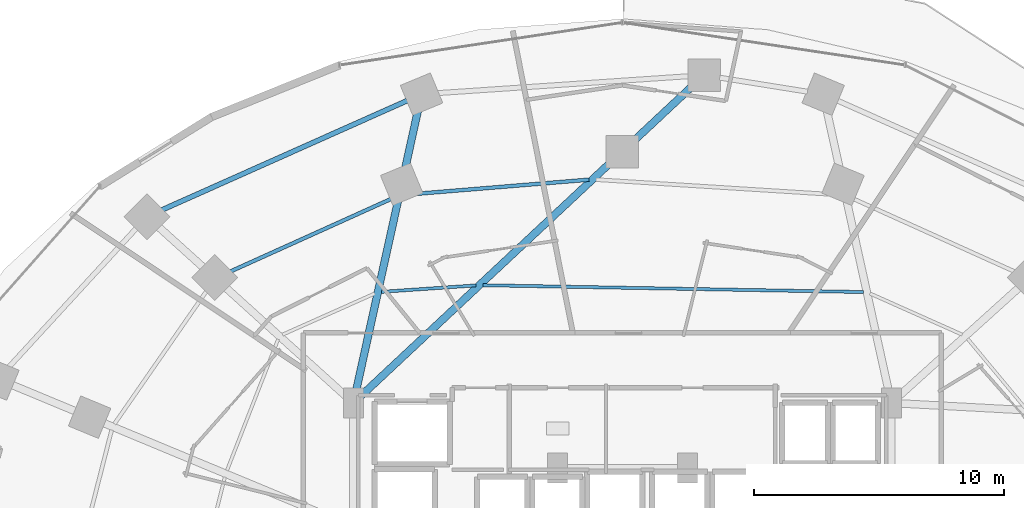
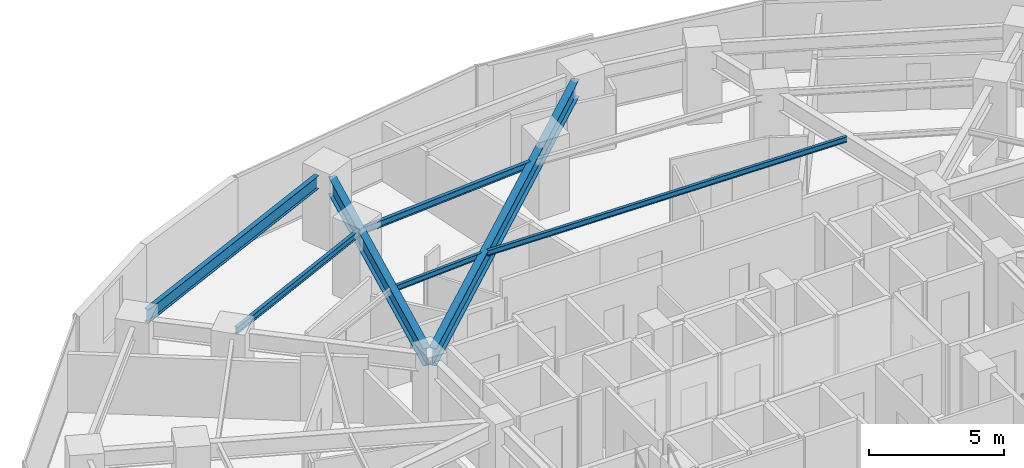
# One storey, part 20 of 33: 7 beams.
"""IFC4 building model written with IfcOpenShell, lengths in metres."""

from ifc_helpers import new_model, si_unit, direction, frame, origin, origin_2d, place, context, subcontext, project, spatial, i_section, extrude, material, material_profile, profile_set, type_object, element, save


model = new_model("IFC4")

# Units and contexts
model_context = context("Model", 3, precision=1e-05, world=origin(), true_north=direction((0.0, 1.0)))
body_context = subcontext(model_context, "Body", "Model", "MODEL_VIEW")
ifc_project = project(units=[si_unit("LENGTHUNIT", "METRE"), si_unit("AREAUNIT", "SQUARE_METRE"), si_unit("VOLUMEUNIT", "CUBIC_METRE"), si_unit("PLANEANGLEUNIT", "RADIAN"), si_unit("MASSUNIT", "GRAM", prefix="KILO")], contexts=[model_context])

# Site, building, storey
site_placement = place(None, origin())
site = spatial("IfcSite", under=ifc_project, at=site_placement, CompositionType="ELEMENT")
building_placement = place(site_placement, origin())
building = spatial("IfcBuilding", under=site, at=building_placement, Name="Vorneva Point Tower", CompositionType="ELEMENT")
storey_placement = place(building_placement, frame((0.0, 0.0, 34.5)))
storey = spatial("IfcBuildingStorey", under=building, at=storey_placement, Name="L08", CompositionType="ELEMENT", Elevation=34.5)

# Beams
ifc_material = material(Name="Steel S355", Category="steel")
ifc_material_profile_1 = material_profile(ifc_material, i_section(OverallWidth=0.300048828125, OverallDepth=0.7880859375, WebThickness=0.014404296875, FlangeThickness=0.02197265625, at=origin_2d()), Name="80Sh1")
ifc_profile_set_1 = profile_set([ifc_material_profile_1], Name="Steel S355")
beam_type_1 = type_object("IfcBeamType", Name="BM-GRD-80Sh1", PredefinedType="USERDEFINED", material=ifc_profile_set_1)
beam_1_placement = place(storey_placement, frame((40.799072265625, 45.81689453125, 2.845947265625), z_axis=(-0.730486513498, -0.682927121732, 0.0), x_axis=(0.682927121732, -0.730486513498, 0.0)))
element("IfcBeam", 1, at=beam_1_placement, inside=storey, type_object=beam_type_1, Name="L08 Radial Primary Girder 05", ObjectType="GIRDER", PredefinedType="USERDEFINED", context=body_context, shape_type="SweptSolid", body=[
    extrude(i_section(OverallWidth=0.300048828125, OverallDepth=0.7880859375, WebThickness=0.014404296875, FlangeThickness=0.02197265625, at=origin_2d()), origin(), (0.0, 0.0, 1.0), 18.2080078125),
])
beam_2_placement = place(storey_placement, frame((29.836181640625, 44.86865234375, 2.845947265625), z_axis=(-0.215504784711, -0.976502784311, 0.0), x_axis=(0.976502784311, -0.215504784711, 0.0)))
element("IfcBeam", 2, at=beam_2_placement, inside=storey, type_object=beam_type_1, Name="L08 Radial Primary Girder 06", ObjectType="GIRDER", PredefinedType="USERDEFINED", context=body_context, shape_type="SweptSolid", body=[
    extrude(i_section(OverallWidth=0.300048828125, OverallDepth=0.7880859375, WebThickness=0.014404296875, FlangeThickness=0.02197265625, at=origin_2d()), origin(), (0.0, 0.0, 1.0), 11.66064453125),
])
ifc_material_profile_2 = material_profile(ifc_material, i_section(OverallWidth=0.1240234375, OverallDepth=0.248046875, WebThickness=0.0048828125, FlangeThickness=0.008056640625, at=origin_2d()), Name="25B1")
ifc_profile_set_2 = profile_set([ifc_material_profile_2], Name="Steel S355")
beam_type_2 = type_object("IfcBeamType", Name="BM-JST-25B1", PredefinedType="JOIST", material=ifc_profile_set_2)
beam_3_placement = place(storey_placement, frame((47.634033203125, 37.58349609375, 3.115966796875), z_axis=(-0.9998392972, 0.017927068204, 0.0), x_axis=(-0.017927068204, -0.9998392972, 0.0)))
element("IfcBeam", 3, at=beam_3_placement, inside=storey, type_object=beam_type_2, Name="L08 Secondary Floor Beam 2.04", PredefinedType="JOIST", context=body_context, shape_type="SweptSolid", body=[
    extrude(i_section(OverallWidth=0.1240234375, OverallDepth=0.248046875, WebThickness=0.0048828125, FlangeThickness=0.008056640625, at=origin_2d()), origin(), (0.0, 0.0, 1.0), 15.2119140625),
])
beam_4_placement = place(storey_placement, frame((32.14892578125, 37.84912109375, 3.115966796875), z_axis=(-0.997672955363, -0.068181186095, 0.0), x_axis=(0.068181186095, -0.997672955363, 0.0)))
element("IfcBeam", 4, at=beam_4_placement, inside=storey, type_object=beam_type_2, Name="L08 Secondary Floor Beam 2.05", PredefinedType="JOIST", context=body_context, shape_type="SweptSolid", body=[
    extrude(i_section(OverallWidth=0.1240234375, OverallDepth=0.248046875, WebThickness=0.0048828125, FlangeThickness=0.008056640625, at=origin_2d()), origin(), (0.0, 0.0, 1.0), 3.7919921875),
])
ifc_material_profile_3 = material_profile(ifc_material, i_section(OverallWidth=0.14892578125, OverallDepth=0.298095703125, WebThickness=0.005615234375, FlangeThickness=0.008056640625, at=origin_2d()), Name="30B1")
ifc_profile_set_3 = profile_set([ifc_material_profile_3], Name="Steel S355")
beam_type_3 = type_object("IfcBeamType", Name="BM-JST-30B1", PredefinedType="JOIST", material=ifc_profile_set_3)
beam_5_placement = place(storey_placement, frame((36.67138671875, 42.0751953125, 3.091064453125), z_axis=(-0.996651460041, -0.081767152319, 0.0), x_axis=(0.081767152319, -0.996651460041, 0.0)))
element("IfcBeam", 5, at=beam_5_placement, inside=storey, type_object=beam_type_3, Name="L08 Secondary Floor Beam 1.05", PredefinedType="JOIST", context=body_context, shape_type="SweptSolid", body=[
    extrude(i_section(OverallWidth=0.14892578125, OverallDepth=0.298095703125, WebThickness=0.005615234375, FlangeThickness=0.008056640625, at=origin_2d()), origin(), (0.0, 0.0, 1.0), 7.4765625),
])
beam_6_placement = place(storey_placement, frame((28.95654296875, 41.395751953125, 3.091064453125), z_axis=(-0.911396391121, -0.411529607988, 0.0), x_axis=(0.411529607988, -0.911396391121, 0.0)))
element("IfcBeam", 6, at=beam_6_placement, inside=storey, type_object=beam_type_3, Name="L08 Secondary Floor Beam 1.06", PredefinedType="JOIST", context=body_context, shape_type="SweptSolid", body=[
    extrude(i_section(OverallWidth=0.14892578125, OverallDepth=0.298095703125, WebThickness=0.005615234375, FlangeThickness=0.008056640625, at=origin_2d()), origin(), (0.0, 0.0, 1.0), 7.7880859375),
])
ifc_material_profile_4 = material_profile(ifc_material, i_section(OverallWidth=0.198974609375, OverallDepth=0.595947265625, WebThickness=0.010009765625, FlangeThickness=0.014892578125, at=origin_2d()), Name="60B1")
ifc_profile_set_4 = profile_set([ifc_material_profile_4], Name="Steel S355")
beam_type_4 = type_object("IfcBeamType", Name="BM-SPN-60B1", PredefinedType="SPANDREL", material=ifc_profile_set_4)
beam_7_placement = place(storey_placement, frame((29.393798828125, 45.23291015625, 2.94189453125), z_axis=(-0.913329187558, -0.407222046499, 0.0), x_axis=(0.407222046499, -0.913329187558, 0.0)))
element("IfcBeam", 7, at=beam_7_placement, inside=storey, type_object=beam_type_4, Name="L08 Perimeter Spandrel Ring Beam 06", PredefinedType="SPANDREL", context=body_context, shape_type="SweptSolid", body=[
    extrude(i_section(OverallWidth=0.198974609375, OverallDepth=0.595947265625, WebThickness=0.010009765625, FlangeThickness=0.014892578125, at=origin_2d()), origin(), (0.0, 0.0, 1.0), 10.742431640625),
])

save(model, "model.ifc")
